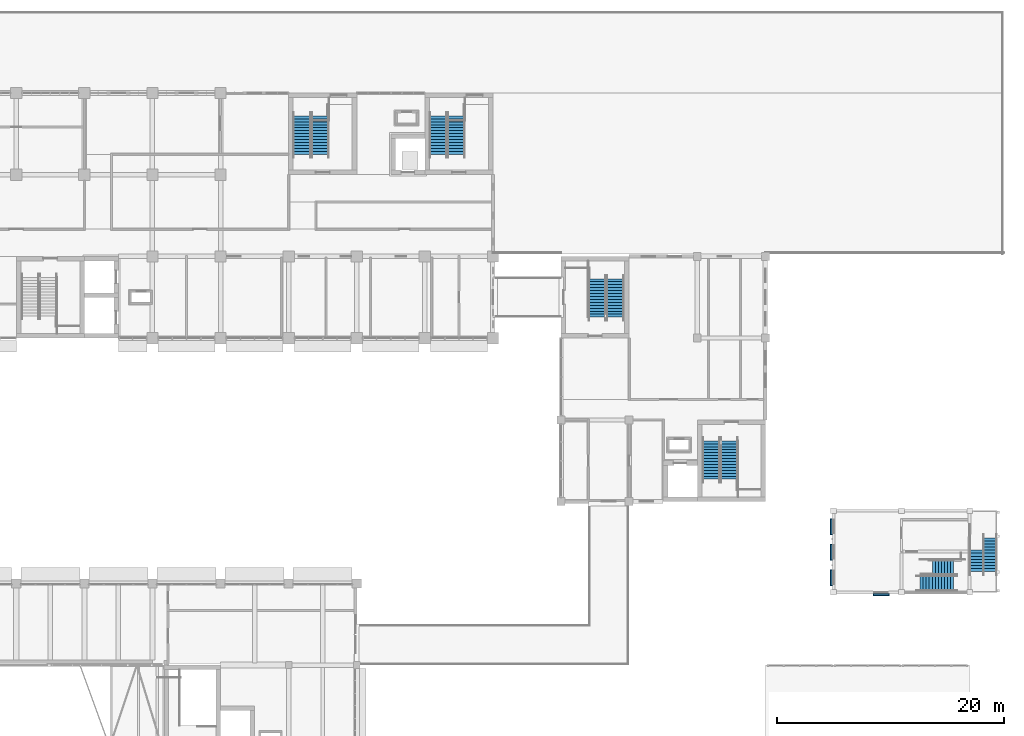
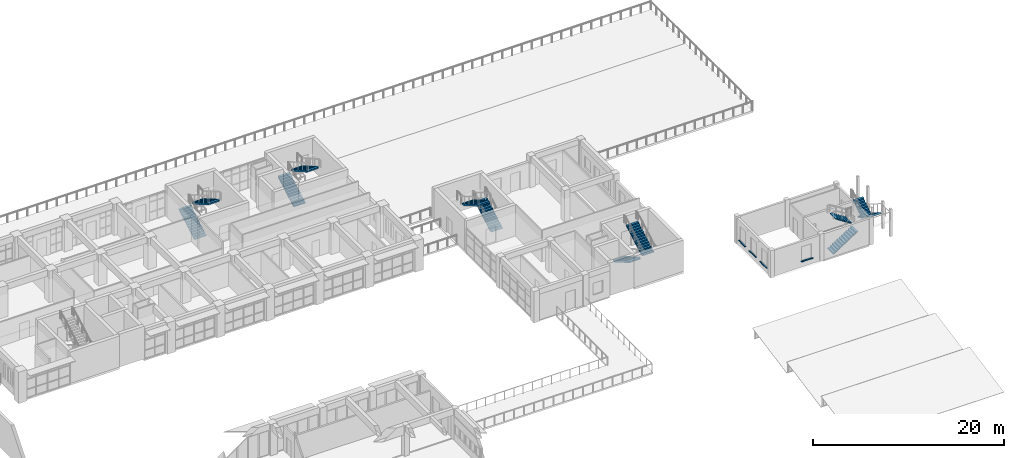
# One storey, part 81 of 101: 12 stair flights, 4 discrete accessories, 6 elements without a shape of their own.
"""IFC4 building model written with IfcOpenShell, lengths in metres."""

from ifc_helpers import new_model, si_unit, direction, frame, origin, origin_2d, place, context, subcontext, project, spatial, polyline, rectangle, outline, extrude, material, type_object, element, aggregate, save


model = new_model("IFC4")

# Units and contexts
model_context = context("Model", 3, precision=1e-05, world=origin(), true_north=direction((0.0, 1.0)))
body_context = subcontext(model_context, "Body", "Model", "MODEL_VIEW")
ifc_project = project(units=[si_unit("LENGTHUNIT", "METRE"), si_unit("AREAUNIT", "SQUARE_METRE"), si_unit("VOLUMEUNIT", "CUBIC_METRE"), si_unit("PLANEANGLEUNIT", "RADIAN"), si_unit("MASSUNIT", "GRAM", prefix="KILO")], contexts=[model_context])

# Site, building, storey
site_placement = place(None, origin())
site = spatial("IfcSite", under=ifc_project, at=site_placement, CompositionType="ELEMENT")
building_placement = place(site_placement, origin())
building = spatial("IfcBuilding", under=site, at=building_placement, Name="Laocheng Heights Fire and Rescue Headquarters", CompositionType="ELEMENT")
storey_placement = place(building_placement, frame((0.0, 0.0, 8.39990234375)))
storey = spatial("IfcBuildingStorey", under=building, at=storey_placement, Name="L02", CompositionType="ELEMENT", Elevation=8.39990234375)

# Stair, stair flights
ifc_material_1 = material(Name="Concrete C40", Category="concrete")
stair_type_1 = type_object("IfcStairType", Name="RC STAIR 1200 TWO FLIGHTS 20 RISERS OF 175 GOING 270", PredefinedType="HALF_TURN_STAIR", material=ifc_material_1)
stair_1_placement = place(storey_placement, origin())
stair_1 = element("IfcStair", 1, at=stair_1_placement, inside=storey, type_object=stair_type_1, Name="Stair T1 (F4 to F5)", PredefinedType="HALF_TURN_STAIR")
ifc_material_2 = material(Name="Concrete C40", Category="concrete")
stair_flight_type_1 = type_object("IfcStairFlightType", Name="RC STAIR FLIGHT 1200 RISERS OF 175 GOING 270", PredefinedType="STRAIGHT", material=ifc_material_2)
stair_flight_1_placement = place(storey_placement, frame((121.625, 28.800048828125, 2.10009765625), z_axis=(0.0, 0.0, 1.0), x_axis=(1.0, 0.0, 0.0)))
stair_flight_1 = element("IfcStairFlight", 2, at=stair_flight_1_placement, type_object=stair_flight_type_1, Name="T1-F4 flight 1", NumberOfRisers=12, NumberOfTreads=11, PredefinedType="STRAIGHT", RiserHeight=0.175, TreadLength=0.27, context=body_context, shape_type="SweptSolid", body=[
    extrude(outline(polyline([(0.0, 0.0), (0.0, 0.175048828125), (0.27001953125, 0.175048828125), (0.27001953125, 0.35009765625), (0.5400390625, 0.35009765625), (0.5400390625, 0.52490234375), (0.81005859375, 0.52490234375), (0.81005859375, 0.699951171875), (1.080078125, 0.699951171875), (1.080078125, 0.875), (1.35009765625, 0.875), (1.35009765625, 1.050048828125), (1.6201171875, 1.050048828125), (1.6201171875, 1.22509765625), (1.889892578125, 1.22509765625), (1.889892578125, 1.39990234375), (2.159912109375, 1.39990234375), (2.159912109375, 1.574951171875), (2.429931640625, 1.574951171875), (2.429931640625, 1.75), (2.699951171875, 1.75), (2.699951171875, 1.925048828125), (2.969970703125, 1.925048828125), (2.969970703125, 2.10009765625), (2.969970703125, 1.865478515625), (0.092041015625, 0.0), (0.0, 0.0)])), frame((0.0, 0.60009765625, 0.0), z_axis=(0.0, -1.0, 0.0), x_axis=(1.0, 0.0, 0.0)), (0.0, 0.0, 1.0), 1.199951171875),
])
stair_flight_2_placement = place(storey_placement, frame((124.594970703125, 30.199951171875, 4.2021484375), z_axis=(0.0, 0.0, 1.0), x_axis=(-1.0, 0.0, 0.0)))
stair_flight_2 = element("IfcStairFlight", 3, at=stair_flight_2_placement, type_object=stair_flight_type_1, Name="T1-F4 flight 2", NumberOfRisers=8, NumberOfTreads=7, PredefinedType="STRAIGHT", RiserHeight=0.175, TreadLength=0.27, context=body_context, shape_type="SweptSolid", body=[
    extrude(outline(polyline([(0.0, 0.0), (0.0, 0.175048828125), (0.27001953125, 0.175048828125), (0.27001953125, 0.35009765625), (0.5400390625, 0.35009765625), (0.5400390625, 0.52490234375), (0.81005859375, 0.52490234375), (0.81005859375, 0.699951171875), (1.080078125, 0.699951171875), (1.080078125, 0.875), (1.35009765625, 0.875), (1.35009765625, 1.050048828125), (1.6201171875, 1.050048828125), (1.6201171875, 1.22509765625), (1.889892578125, 1.22509765625), (1.889892578125, 1.39990234375), (1.889892578125, 1.165283203125), (0.092041015625, 0.0), (0.0, 0.0)])), frame((0.0, 0.60009765625, 0.0), z_axis=(0.0, -1.0, 0.0), x_axis=(1.0, 0.0, 0.0)), (0.0, 0.0, 1.0), 1.199951171875),
])
aggregate(stair_1, [stair_flight_1, stair_flight_2])

stair_2_placement = place(storey_placement, origin())
stair_2 = element("IfcStair", 4, at=stair_2_placement, inside=storey, type_object=stair_type_1, Name="Stair T2 (F4 to F5)", PredefinedType="HALF_TURN_STAIR")
stair_flight_3_placement = place(storey_placement, frame((127.800048828125, 32.800048828125, 2.10009765625), z_axis=(0.0, 0.0, 1.0), x_axis=(0.0, -1.0, 0.0)))
stair_flight_3 = element("IfcStairFlight", 5, at=stair_flight_3_placement, type_object=stair_flight_type_1, Name="T2-F4 flight 1", NumberOfRisers=12, NumberOfTreads=11, PredefinedType="STRAIGHT", RiserHeight=0.175, TreadLength=0.27, context=body_context, shape_type="SweptSolid", body=[
    extrude(outline(polyline([(0.0, 0.0), (0.0, 0.175048828125), (0.27001953125, 0.175048828125), (0.27001953125, 0.35009765625), (0.5400390625, 0.35009765625), (0.5400390625, 0.52490234375), (0.81005859375, 0.52490234375), (0.81005859375, 0.699951171875), (1.080078125, 0.699951171875), (1.080078125, 0.875), (1.35009765625, 0.875), (1.35009765625, 1.050048828125), (1.6201171875, 1.050048828125), (1.6201171875, 1.22509765625), (1.889892578125, 1.22509765625), (1.889892578125, 1.39990234375), (2.159912109375, 1.39990234375), (2.159912109375, 1.574951171875), (2.429931640625, 1.574951171875), (2.429931640625, 1.75), (2.699951171875, 1.75), (2.699951171875, 1.925048828125), (2.969970703125, 1.925048828125), (2.969970703125, 2.10009765625), (2.969970703125, 1.865478515625), (0.092041015625, 0.0), (0.0, 0.0)])), frame((0.0, 0.60009765625, 0.0), z_axis=(0.0, -1.0, 0.0), x_axis=(1.0, 0.0, 0.0)), (0.0, 0.0, 1.0), 1.199951171875),
])
stair_flight_4_placement = place(storey_placement, frame((126.60009765625, 29.830078125, 4.2021484375), z_axis=(0.0, 0.0, 1.0), x_axis=(0.0, 1.0, 0.0)))
stair_flight_4 = element("IfcStairFlight", 6, at=stair_flight_4_placement, type_object=stair_flight_type_1, Name="T2-F4 flight 2", NumberOfRisers=8, NumberOfTreads=7, PredefinedType="STRAIGHT", RiserHeight=0.175, TreadLength=0.27, context=body_context, shape_type="SweptSolid", body=[
    extrude(outline(polyline([(0.0, 0.0), (0.0, 0.175048828125), (0.27001953125, 0.175048828125), (0.27001953125, 0.35009765625), (0.5400390625, 0.35009765625), (0.5400390625, 0.52490234375), (0.81005859375, 0.52490234375), (0.81005859375, 0.699951171875), (1.080078125, 0.699951171875), (1.080078125, 0.875), (1.35009765625, 0.875), (1.35009765625, 1.050048828125), (1.6201171875, 1.050048828125), (1.6201171875, 1.22509765625), (1.889892578125, 1.22509765625), (1.889892578125, 1.39990234375), (1.889892578125, 1.165283203125), (0.092041015625, 0.0), (0.0, 0.0)])), frame((0.0, 0.60009765625, 0.0), z_axis=(0.0, -1.0, 0.0), x_axis=(1.0, 0.0, 0.0)), (0.0, 0.0, 1.0), 1.199951171875),
])
aggregate(stair_2, [stair_flight_3, stair_flight_4])

ifc_material_3 = material(Name="Concrete C40", Category="concrete")
stair_type_2 = type_object("IfcStairType", Name="RC STAIR 1400 TWO FLIGHTS 28 RISERS OF 150 GOING 260", PredefinedType="HALF_TURN_STAIR", material=ifc_material_3)
stair_3_placement = place(storey_placement, origin())
stair_3 = element("IfcStair", 7, at=stair_3_placement, inside=storey, type_object=stair_type_2, Name="Stair C1 (L02 to L03)", PredefinedType="HALF_TURN_STAIR")
ifc_material_4 = material(Name="Concrete C40", Category="concrete")
stair_flight_type_2 = type_object("IfcStairFlightType", Name="RC STAIR FLIGHT 1400 RISERS OF 150 GOING 260", PredefinedType="STRAIGHT", material=ifc_material_4)
stair_flight_5_placement = place(storey_placement, frame((103.22509765625, 41.35009765625, 0.0), z_axis=(0.0, 0.0, 1.0), x_axis=(0.0, -1.0, 0.0)))
stair_flight_5 = element("IfcStairFlight", 8, at=stair_flight_5_placement, type_object=stair_flight_type_2, Name="C1-L02 flight 1", NumberOfRisers=14, NumberOfTreads=13, PredefinedType="STRAIGHT", RiserHeight=0.15, TreadLength=0.26, context=body_context, shape_type="SweptSolid", body=[
    extrude(outline(polyline([(0.0, 0.0), (0.0, 0.14990234375), (0.260009765625, 0.14990234375), (0.260009765625, 0.300048828125), (0.52001953125, 0.300048828125), (0.52001953125, 0.449951171875), (0.780029296875, 0.449951171875), (0.780029296875, 0.60009765625), (1.0400390625, 0.60009765625), (1.0400390625, 0.75), (1.300048828125, 0.75), (1.300048828125, 0.89990234375), (1.56005859375, 0.89990234375), (1.56005859375, 1.050048828125), (1.820068359375, 1.050048828125), (1.820068359375, 1.199951171875), (2.080078125, 1.199951171875), (2.080078125, 1.35009765625), (2.340087890625, 1.35009765625), (2.340087890625, 1.5), (2.60009765625, 1.5), (2.60009765625, 1.64990234375), (2.860107421875, 1.64990234375), (2.860107421875, 1.800048828125), (3.1201171875, 1.800048828125), (3.1201171875, 1.949951171875), (3.3798828125, 1.949951171875), (3.3798828125, 2.10009765625), (3.3798828125, 1.77685546875), (0.300048828125, 0.0), (0.0, 0.0)])), frame((0.0, 0.699951171875, 0.0), z_axis=(0.0, -1.0, 0.0), x_axis=(1.0, 0.0, 0.0)), (0.0, 0.0, 1.0), 1.39990234375),
])
stair_flight_6_placement = place(storey_placement, frame((104.824951171875, 37.969970703125, 2.10205078125), z_axis=(0.0, 0.0, 1.0), x_axis=(0.0, 1.0, 0.0)))
stair_flight_6 = element("IfcStairFlight", 9, at=stair_flight_6_placement, type_object=stair_flight_type_2, Name="C1-L02 flight 2", NumberOfRisers=14, NumberOfTreads=13, PredefinedType="STRAIGHT", RiserHeight=0.15, TreadLength=0.26, context=body_context, shape_type="SweptSolid", body=[
    extrude(outline(polyline([(0.0, 0.0), (0.0, 0.14990234375), (0.260009765625, 0.14990234375), (0.260009765625, 0.300048828125), (0.52001953125, 0.300048828125), (0.52001953125, 0.449951171875), (0.780029296875, 0.449951171875), (0.780029296875, 0.60009765625), (1.0400390625, 0.60009765625), (1.0400390625, 0.75), (1.300048828125, 0.75), (1.300048828125, 0.89990234375), (1.56005859375, 0.89990234375), (1.56005859375, 1.050048828125), (1.820068359375, 1.050048828125), (1.820068359375, 1.199951171875), (2.080078125, 1.199951171875), (2.080078125, 1.35009765625), (2.340087890625, 1.35009765625), (2.340087890625, 1.5), (2.60009765625, 1.5), (2.60009765625, 1.64990234375), (2.860107421875, 1.64990234375), (2.860107421875, 1.800048828125), (3.1201171875, 1.800048828125), (3.1201171875, 1.949951171875), (3.3798828125, 1.949951171875), (3.3798828125, 2.10009765625), (3.3798828125, 1.77685546875), (0.300048828125, 0.0), (0.0, 0.0)])), frame((0.0, 0.699951171875, 0.0), z_axis=(0.0, -1.0, 0.0), x_axis=(1.0, 0.0, 0.0)), (0.0, 0.0, 1.0), 1.39990234375),
])
aggregate(stair_3, [stair_flight_5, stair_flight_6])

stair_4_placement = place(storey_placement, origin())
stair_4 = element("IfcStair", 10, at=stair_4_placement, inside=storey, type_object=stair_type_2, Name="Stair C2 (L02 to L03)", PredefinedType="HALF_TURN_STAIR")
stair_flight_7_placement = place(storey_placement, frame((94.77490234375, 52.25, 0.0), z_axis=(0.0, 0.0, 1.0), x_axis=(0.0, 1.0, 0.0)))
stair_flight_7 = element("IfcStairFlight", 11, at=stair_flight_7_placement, type_object=stair_flight_type_2, Name="C2-L02 flight 1", NumberOfRisers=14, NumberOfTreads=13, PredefinedType="STRAIGHT", RiserHeight=0.15, TreadLength=0.26, context=body_context, shape_type="SweptSolid", body=[
    extrude(outline(polyline([(0.0, 0.0), (0.0, 0.14990234375), (0.260009765625, 0.14990234375), (0.260009765625, 0.300048828125), (0.52001953125, 0.300048828125), (0.52001953125, 0.449951171875), (0.780029296875, 0.449951171875), (0.780029296875, 0.60009765625), (1.0400390625, 0.60009765625), (1.0400390625, 0.75), (1.300048828125, 0.75), (1.300048828125, 0.89990234375), (1.56005859375, 0.89990234375), (1.56005859375, 1.050048828125), (1.820068359375, 1.050048828125), (1.820068359375, 1.199951171875), (2.080078125, 1.199951171875), (2.080078125, 1.35009765625), (2.340087890625, 1.35009765625), (2.340087890625, 1.5), (2.60009765625, 1.5), (2.60009765625, 1.64990234375), (2.860107421875, 1.64990234375), (2.860107421875, 1.800048828125), (3.1201171875, 1.800048828125), (3.1201171875, 1.949951171875), (3.3798828125, 1.949951171875), (3.3798828125, 2.10009765625), (3.3798828125, 1.77685546875), (0.300048828125, 0.0), (0.0, 0.0)])), frame((0.0, 0.699951171875, 0.0), z_axis=(0.0, -1.0, 0.0), x_axis=(1.0, 0.0, 0.0)), (0.0, 0.0, 1.0), 1.39990234375),
])
stair_flight_8_placement = place(storey_placement, frame((93.175048828125, 55.6298828125, 2.10205078125), z_axis=(0.0, 0.0, 1.0), x_axis=(0.0, -1.0, 0.0)))
stair_flight_8 = element("IfcStairFlight", 12, at=stair_flight_8_placement, type_object=stair_flight_type_2, Name="C2-L02 flight 2", NumberOfRisers=14, NumberOfTreads=13, PredefinedType="STRAIGHT", RiserHeight=0.15, TreadLength=0.26, context=body_context, shape_type="SweptSolid", body=[
    extrude(outline(polyline([(0.0, 0.0), (0.0, 0.14990234375), (0.260009765625, 0.14990234375), (0.260009765625, 0.300048828125), (0.52001953125, 0.300048828125), (0.52001953125, 0.449951171875), (0.780029296875, 0.449951171875), (0.780029296875, 0.60009765625), (1.0400390625, 0.60009765625), (1.0400390625, 0.75), (1.300048828125, 0.75), (1.300048828125, 0.89990234375), (1.56005859375, 0.89990234375), (1.56005859375, 1.050048828125), (1.820068359375, 1.050048828125), (1.820068359375, 1.199951171875), (2.080078125, 1.199951171875), (2.080078125, 1.35009765625), (2.340087890625, 1.35009765625), (2.340087890625, 1.5), (2.60009765625, 1.5), (2.60009765625, 1.64990234375), (2.860107421875, 1.64990234375), (2.860107421875, 1.800048828125), (3.1201171875, 1.800048828125), (3.1201171875, 1.949951171875), (3.3798828125, 1.949951171875), (3.3798828125, 2.10009765625), (3.3798828125, 1.77685546875), (0.300048828125, 0.0), (0.0, 0.0)])), frame((0.0, 0.699951171875, 0.0), z_axis=(0.0, -1.0, 0.0), x_axis=(1.0, 0.0, 0.0)), (0.0, 0.0, 1.0), 1.39990234375),
])
aggregate(stair_4, [stair_flight_7, stair_flight_8])

stair_5_placement = place(storey_placement, origin())
stair_5 = element("IfcStair", 13, at=stair_5_placement, inside=storey, type_object=stair_type_2, Name="Stair H2 (L02 to L03)", PredefinedType="HALF_TURN_STAIR")
stair_flight_9_placement = place(storey_placement, frame((79.175048828125, 66.60009765625, 0.0), z_axis=(0.0, 0.0, 1.0), x_axis=(0.0, 1.0, 0.0)))
stair_flight_9 = element("IfcStairFlight", 14, at=stair_flight_9_placement, type_object=stair_flight_type_2, Name="H2-L02 flight 1", NumberOfRisers=14, NumberOfTreads=13, PredefinedType="STRAIGHT", RiserHeight=0.15, TreadLength=0.26, context=body_context, shape_type="SweptSolid", body=[
    extrude(outline(polyline([(0.0, 0.0), (0.0, 0.14990234375), (0.260009765625, 0.14990234375), (0.260009765625, 0.300048828125), (0.52001953125, 0.300048828125), (0.52001953125, 0.449951171875), (0.780029296875, 0.449951171875), (0.780029296875, 0.60009765625), (1.0400390625, 0.60009765625), (1.0400390625, 0.75), (1.300048828125, 0.75), (1.300048828125, 0.89990234375), (1.56005859375, 0.89990234375), (1.56005859375, 1.050048828125), (1.820068359375, 1.050048828125), (1.820068359375, 1.199951171875), (2.080078125, 1.199951171875), (2.080078125, 1.35009765625), (2.340087890625, 1.35009765625), (2.340087890625, 1.5), (2.60009765625, 1.5), (2.60009765625, 1.64990234375), (2.860107421875, 1.64990234375), (2.860107421875, 1.800048828125), (3.1201171875, 1.800048828125), (3.1201171875, 1.949951171875), (3.3798828125, 1.949951171875), (3.3798828125, 2.10009765625), (3.3798828125, 1.77685546875), (0.300048828125, 0.0), (0.0, 0.0)])), frame((0.0, 0.699951171875, 0.0), z_axis=(0.0, -1.0, 0.0), x_axis=(1.0, 0.0, 0.0)), (0.0, 0.0, 1.0), 1.39990234375),
])
stair_flight_10_placement = place(storey_placement, frame((80.77490234375, 69.97998046875, 2.10205078125), z_axis=(0.0, 0.0, 1.0), x_axis=(0.0, -1.0, 0.0)))
stair_flight_10 = element("IfcStairFlight", 15, at=stair_flight_10_placement, type_object=stair_flight_type_2, Name="H2-L02 flight 2", NumberOfRisers=14, NumberOfTreads=13, PredefinedType="STRAIGHT", RiserHeight=0.15, TreadLength=0.26, context=body_context, shape_type="SweptSolid", body=[
    extrude(outline(polyline([(0.0, 0.0), (0.0, 0.14990234375), (0.260009765625, 0.14990234375), (0.260009765625, 0.300048828125), (0.52001953125, 0.300048828125), (0.52001953125, 0.449951171875), (0.780029296875, 0.449951171875), (0.780029296875, 0.60009765625), (1.0400390625, 0.60009765625), (1.0400390625, 0.75), (1.300048828125, 0.75), (1.300048828125, 0.89990234375), (1.56005859375, 0.89990234375), (1.56005859375, 1.050048828125), (1.820068359375, 1.050048828125), (1.820068359375, 1.199951171875), (2.080078125, 1.199951171875), (2.080078125, 1.35009765625), (2.340087890625, 1.35009765625), (2.340087890625, 1.5), (2.60009765625, 1.5), (2.60009765625, 1.64990234375), (2.860107421875, 1.64990234375), (2.860107421875, 1.800048828125), (3.1201171875, 1.800048828125), (3.1201171875, 1.949951171875), (3.3798828125, 1.949951171875), (3.3798828125, 2.10009765625), (3.3798828125, 1.77685546875), (0.300048828125, 0.0), (0.0, 0.0)])), frame((0.0, 0.699951171875, 0.0), z_axis=(0.0, -1.0, 0.0), x_axis=(1.0, 0.0, 0.0)), (0.0, 0.0, 1.0), 1.39990234375),
])
aggregate(stair_5, [stair_flight_9, stair_flight_10])

stair_6_placement = place(storey_placement, origin())
stair_6 = element("IfcStair", 16, at=stair_6_placement, inside=storey, type_object=stair_type_2, Name="Stair H3 (L02 to L03)", PredefinedType="HALF_TURN_STAIR")
stair_flight_11_placement = place(storey_placement, frame((67.175048828125, 66.60009765625, 0.0), z_axis=(0.0, 0.0, 1.0), x_axis=(0.0, 1.0, 0.0)))
stair_flight_11 = element("IfcStairFlight", 17, at=stair_flight_11_placement, type_object=stair_flight_type_2, Name="H3-L02 flight 1", NumberOfRisers=14, NumberOfTreads=13, PredefinedType="STRAIGHT", RiserHeight=0.15, TreadLength=0.26, context=body_context, shape_type="SweptSolid", body=[
    extrude(outline(polyline([(0.0, 0.0), (0.0, 0.14990234375), (0.260009765625, 0.14990234375), (0.260009765625, 0.300048828125), (0.52001953125, 0.300048828125), (0.52001953125, 0.449951171875), (0.780029296875, 0.449951171875), (0.780029296875, 0.60009765625), (1.0400390625, 0.60009765625), (1.0400390625, 0.75), (1.300048828125, 0.75), (1.300048828125, 0.89990234375), (1.56005859375, 0.89990234375), (1.56005859375, 1.050048828125), (1.820068359375, 1.050048828125), (1.820068359375, 1.199951171875), (2.080078125, 1.199951171875), (2.080078125, 1.35009765625), (2.340087890625, 1.35009765625), (2.340087890625, 1.5), (2.60009765625, 1.5), (2.60009765625, 1.64990234375), (2.860107421875, 1.64990234375), (2.860107421875, 1.800048828125), (3.1201171875, 1.800048828125), (3.1201171875, 1.949951171875), (3.3798828125, 1.949951171875), (3.3798828125, 2.10009765625), (3.3798828125, 1.77685546875), (0.300048828125, 0.0), (0.0, 0.0)])), frame((0.0, 0.699951171875, 0.0), z_axis=(0.0, -1.0, 0.0), x_axis=(1.0, 0.0, 0.0)), (0.0, 0.0, 1.0), 1.39990234375),
])
stair_flight_12_placement = place(storey_placement, frame((68.77490234375, 69.97998046875, 2.10205078125), z_axis=(0.0, 0.0, 1.0), x_axis=(0.0, -1.0, 0.0)))
stair_flight_12 = element("IfcStairFlight", 18, at=stair_flight_12_placement, type_object=stair_flight_type_2, Name="H3-L02 flight 2", NumberOfRisers=14, NumberOfTreads=13, PredefinedType="STRAIGHT", RiserHeight=0.15, TreadLength=0.26, context=body_context, shape_type="SweptSolid", body=[
    extrude(outline(polyline([(0.0, 0.0), (0.0, 0.14990234375), (0.260009765625, 0.14990234375), (0.260009765625, 0.300048828125), (0.52001953125, 0.300048828125), (0.52001953125, 0.449951171875), (0.780029296875, 0.449951171875), (0.780029296875, 0.60009765625), (1.0400390625, 0.60009765625), (1.0400390625, 0.75), (1.300048828125, 0.75), (1.300048828125, 0.89990234375), (1.56005859375, 0.89990234375), (1.56005859375, 1.050048828125), (1.820068359375, 1.050048828125), (1.820068359375, 1.199951171875), (2.080078125, 1.199951171875), (2.080078125, 1.35009765625), (2.340087890625, 1.35009765625), (2.340087890625, 1.5), (2.60009765625, 1.5), (2.60009765625, 1.64990234375), (2.860107421875, 1.64990234375), (2.860107421875, 1.800048828125), (3.1201171875, 1.800048828125), (3.1201171875, 1.949951171875), (3.3798828125, 1.949951171875), (3.3798828125, 2.10009765625), (3.3798828125, 1.77685546875), (0.300048828125, 0.0), (0.0, 0.0)])), frame((0.0, 0.699951171875, 0.0), z_axis=(0.0, -1.0, 0.0), x_axis=(1.0, 0.0, 0.0)), (0.0, 0.0, 1.0), 1.39990234375),
])
aggregate(stair_6, [stair_flight_11, stair_flight_12])

# Discrete accessories
ifc_material_5 = material(Name="Timber board, treated", Category="wood")
discrete_accessory_type = type_object("IfcDiscreteAccessoryType", Name="DRILL TIMBER SILL BOARD 150 x 50", PredefinedType="USERDEFINED", material=ifc_material_5)
for number, where, z_axis, x_axis, name in (
    (19, (113.800048828125, 29.300048828125, 2.85009765625), (0.0, 0.0, 1.0), (1.0, 0.0, 0.0), "Sill board F4 W"),
    (20, (113.800048828125, 31.550048828125, 2.85009765625), (0.0, 0.0, 1.0), (1.0, 0.0, 0.0), "Sill board F4 W"),
    (21, (113.800048828125, 33.800048828125, 2.85009765625), (0.0, 0.0, 1.0), (1.0, 0.0, 0.0), "Sill board F4 W"),
):
    element("IfcDiscreteAccessory", number, at=place(storey_placement, frame(where, z_axis=z_axis, x_axis=x_axis)), inside=storey, type_object=discrete_accessory_type, Name=name, ObjectType="SILL BOARD", PredefinedType="USERDEFINED", context=body_context, shape_type="SweptSolid", body=[
        extrude(rectangle(XDim=0.14990234375, YDim=1.39990234375, at=origin_2d()), origin(), (0.0, 0.0, 1.0), 0.050048828125),
    ])
discrete_accessory_placement = place(storey_placement, frame((118.199951171875, 27.800048828125, 2.85009765625), z_axis=(0.0, 0.0, 1.0), x_axis=(1.0, 0.0, 0.0)))
element("IfcDiscreteAccessory", 22, at=discrete_accessory_placement, inside=storey, type_object=discrete_accessory_type, Name="Sill board F4 S", ObjectType="SILL BOARD", PredefinedType="USERDEFINED", context=body_context, shape_type="SweptSolid", body=[
    extrude(rectangle(XDim=1.39990234375, YDim=0.14990234375, at=origin_2d()), origin(), (0.0, 0.0, 1.0), 0.050048828125),
])

save(model, "model.ifc")
